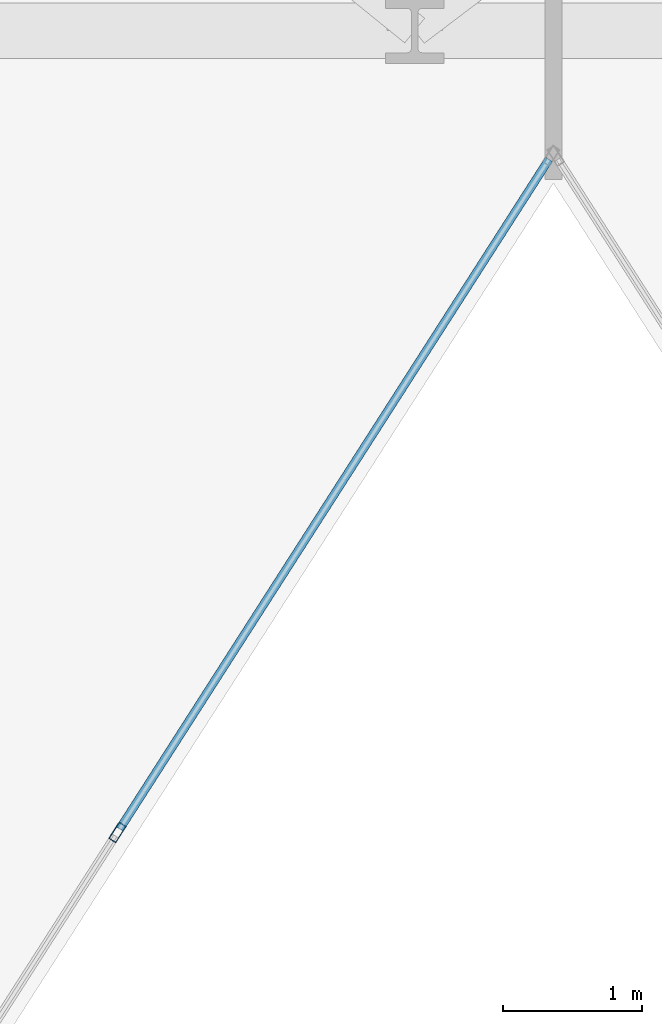
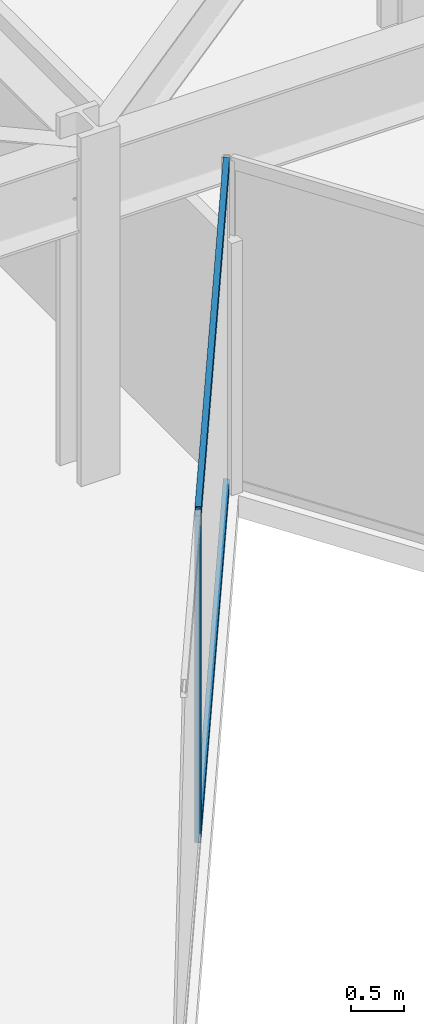
# One storey, part 6 of 24: 3 members, 1 element without a shape of its own.
"""IFC4 building model written with IfcOpenShell, lengths in metres."""

from ifc_helpers import new_model, si_unit, direction, frame, origin, origin_2d, place, context, subcontext, project, spatial, hollow_rectangle, extrude, material, layer, layer_set, material_profile, profile_set, type_object, element, aggregate, save


model = new_model("IFC4")

# Units and contexts
model_context = context("Model", 3, precision=1e-05, world=origin(), true_north=direction((0.0, 1.0)))
body_context = subcontext(model_context, "Body", "Model", "MODEL_VIEW")
ifc_project = project(units=[si_unit("LENGTHUNIT", "METRE"), si_unit("AREAUNIT", "SQUARE_METRE"), si_unit("VOLUMEUNIT", "CUBIC_METRE"), si_unit("PLANEANGLEUNIT", "RADIAN"), si_unit("MASSUNIT", "GRAM", prefix="KILO")], contexts=[model_context])

# Site, building, storey
site_placement = place(None, origin())
site = spatial("IfcSite", under=ifc_project, at=site_placement, CompositionType="ELEMENT")
building_placement = place(site_placement, origin())
building = spatial("IfcBuilding", under=site, at=building_placement, Name="Kravanh Interchange Tower", CompositionType="ELEMENT")
storey_placement = place(building_placement, frame((0.0, 0.0, 96.0)))
storey = spatial("IfcBuildingStorey", under=building, at=storey_placement, Name="L22", CompositionType="ELEMENT", Elevation=96.0)

# Curtain wall, members
ifc_material_1 = material(Name="Anodised Bronze Aluminium", Category="aluminium")
ifc_layer = layer(ifc_material_1, 0.179931640625)
ifc_layer_set = layer_set([ifc_layer], Name="Unitised Curtain Wall System CW-Z2 Mid Office")
curtain_wall_type = type_object("IfcCurtainWallType", Name="Unitised Curtain Wall System CW-Z2 Mid Office", PredefinedType="NOTDEFINED", material=ifc_layer_set)
curtain_wall_placement = place(storey_placement, origin())
curtain_wall = element("IfcCurtainWall", 1, at=curtain_wall_placement, inside=storey, type_object=curtain_wall_type, Name="L22 Unitised Curtain Wall CW-L22-05", PredefinedType="NOTDEFINED")
ifc_material_2 = material(Name="Anodised Bronze Aluminium", Category="aluminium")
ifc_material_profile_1 = material_profile(ifc_material_2, hollow_rectangle(XDim=0.06005859375, YDim=0.139892578125, WallThickness=0.00390625, at=origin_2d()), Name="ALU60X140X4")
ifc_profile_set_1 = profile_set([ifc_material_profile_1], Name="Anodised Bronze Aluminium")
member_type_1 = type_object("IfcMemberType", Name="Curtain Wall Mullion ALU60X140X4 Bronze", PredefinedType="MULLION", material=ifc_profile_set_1)
member_1_placement = place(storey_placement, frame((36.45849609375, 21.021728515625, 0.0), z_axis=(0.0, 0.0, 1.0), x_axis=(0.841879939476, -0.539664865919, 0.0)))
member_1 = element("IfcMember", 2, at=member_1_placement, type_object=member_type_1, Name="CW-Z2 mullion 2", PredefinedType="MULLION", context=body_context, shape_type="SweptSolid", body=[
    extrude(hollow_rectangle(XDim=0.06005859375, YDim=0.139892578125, WallThickness=0.00390625, at=origin_2d()), origin(), (0.0, 0.0, 1.0), 3.75),
])
ifc_material_3 = material(Name="Anodised Bronze Aluminium", Category="aluminium")
ifc_material_profile_2 = material_profile(ifc_material_3, hollow_rectangle(XDim=0.06005859375, YDim=0.139892578125, WallThickness=0.00390625, at=origin_2d()), Name="ALU60X140X4")
ifc_profile_set_2 = profile_set([ifc_material_profile_2], Name="Anodised Bronze Aluminium")
member_type_2 = type_object("IfcMemberType", Name="Curtain Wall Transom ALU60X140X4 Bronze", PredefinedType="USERDEFINED", material=ifc_profile_set_2)
member_2_placement = place(storey_placement, frame((39.567626953125, 25.871826171875, 0.030029296875), z_axis=(-0.53966766312, -0.841878146398, 0.0), x_axis=(0.841878146398, -0.53966766312, 0.0)))
member_2 = element("IfcMember", 3, at=member_2_placement, type_object=member_type_2, Name="CW-Z2 transom 1.1", ObjectType="TRANSOM", PredefinedType="USERDEFINED", context=body_context, shape_type="SweptSolid", body=[
    extrude(hollow_rectangle(XDim=0.06005859375, YDim=0.139892578125, WallThickness=0.00390625, at=origin_2d()), origin(), (0.0, 0.0, 1.0), 5.73095703125),
])
member_3_placement = place(storey_placement, frame((39.567626953125, 25.871826171875, 3.719970703125), z_axis=(-0.53966766312, -0.841878146398, 0.0), x_axis=(0.841878146398, -0.53966766312, 0.0)))
member_3 = element("IfcMember", 4, at=member_3_placement, type_object=member_type_2, Name="CW-Z2 transom 1.2", ObjectType="TRANSOM", PredefinedType="USERDEFINED", context=body_context, shape_type="SweptSolid", body=[
    extrude(hollow_rectangle(XDim=0.06005859375, YDim=0.139892578125, WallThickness=0.00390625, at=origin_2d()), origin(), (0.0, 0.0, 1.0), 5.73095703125),
])
aggregate(curtain_wall, [member_1, member_2, member_3])

save(model, "model.ifc")
